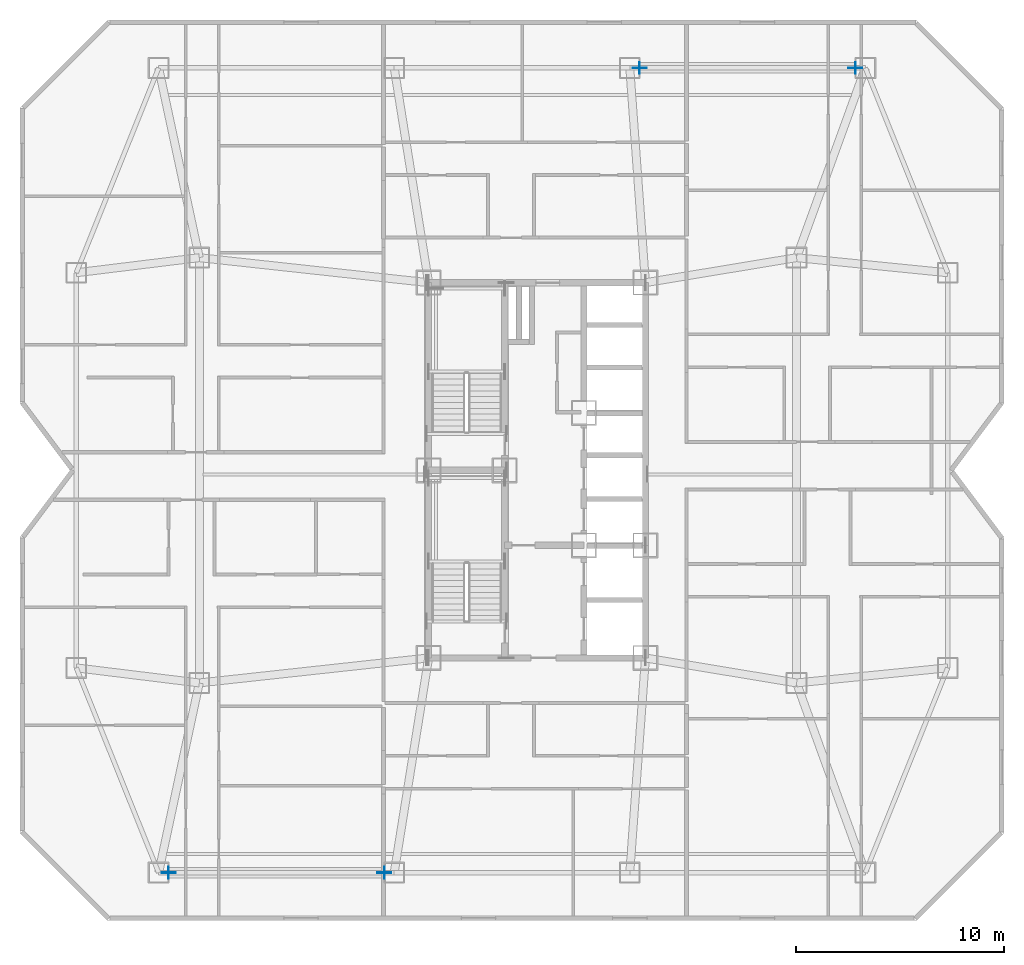
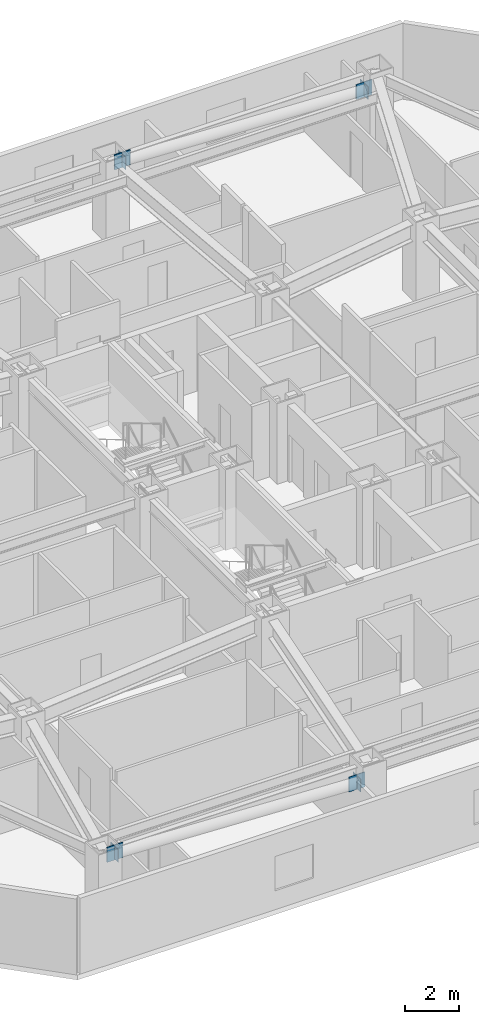
# One storey, part 3 of 10: 8 plates.
"""IFC4 building model written with IfcOpenShell, lengths in metres."""

from ifc_helpers import new_model, si_unit, direction, frame, origin, origin_2d, place, context, subcontext, project, spatial, rectangle, extrude, material, layer, layer_set, type_object, element, save


model = new_model("IFC4")

# Units and contexts
model_context = context("Model", 3, precision=1e-05, world=origin(), true_north=direction((0.0, 1.0)))
body_context = subcontext(model_context, "Body", "Model", "MODEL_VIEW")
ifc_project = project(units=[si_unit("LENGTHUNIT", "METRE"), si_unit("AREAUNIT", "SQUARE_METRE"), si_unit("VOLUMEUNIT", "CUBIC_METRE"), si_unit("PLANEANGLEUNIT", "RADIAN"), si_unit("MASSUNIT", "GRAM", prefix="KILO")], contexts=[model_context])

# Site, building, storey
site_placement = place(None, origin())
site = spatial("IfcSite", under=ifc_project, at=site_placement, CompositionType="ELEMENT")
building_placement = place(site_placement, origin())
building = spatial("IfcBuilding", under=site, at=building_placement, Name="Khamvora Tower", CompositionType="ELEMENT")
storey_placement = place(building_placement, frame((0.0, 0.0, 94.60009765625)))
storey = spatial("IfcBuildingStorey", under=building, at=storey_placement, Name="L23", CompositionType="ELEMENT", Elevation=94.60009765625)

# Plates
ifc_material_1 = material(Name="Steel S355", Category="steel")
ifc_layer_1 = layer(ifc_material_1, 0.02490234375)
ifc_layer_set_1 = layer_set([ifc_layer_1], Name="Steel S355")
plate_type_1 = type_object("IfcPlateType", Name="PL-CAP-25", PredefinedType="SHEET", material=ifc_layer_set_1)
for number, where, z_axis, x_axis, name in (
    (1, (26.882080078125, 8.699951171875, 2.4150390625), (0.0, 0.0, 1.0), (-1.0, 0.0, 0.0), "L23 hollow section steel end cap plate 0736"),
    (2, (16.51806640625, 8.699951171875, 2.85791015625), (0.0, 0.0, 1.0), (-1.0, 0.0, 0.0), "L23 hollow section steel end cap plate 0737"),
    (3, (49.48193359375, 47.300048828125, 2.4150390625), (0.0, 0.0, 1.0), (-1.0, 0.0, 0.0), "L23 hollow section steel end cap plate 0738"),
    (4, (39.117919921875, 47.300048828125, 2.85791015625), (0.0, 0.0, 1.0), (-1.0, 0.0, 0.0), "L23 hollow section steel end cap plate 0739"),
):
    element("IfcPlate", number, at=place(storey_placement, frame(where, z_axis=z_axis, x_axis=x_axis)), inside=storey, type_object=plate_type_1, Name=name, PredefinedType="SHEET", context=body_context, shape_type="SweptSolid", body=[
        extrude(rectangle(XDim=0.02490234375, YDim=0.568115234375, at=origin_2d()), origin(), (0.0, 0.0, 1.0), 0.568115234375),
    ])
ifc_material_2 = material(Name="Steel S460", Category="steel")
ifc_layer_2 = layer(ifc_material_2, 0.0400390625)
ifc_layer_set_2 = layer_set([ifc_layer_2], Name="Steel S460")
plate_type_2 = type_object("IfcPlateType", Name="PLT-GUS-40", PredefinedType="SHEET", material=ifc_layer_set_2)
for number, where, z_axis, x_axis, name in (
    (5, (26.8701171875, 8.699951171875, 2.35986328125), (0.0, 0.0, 1.0), (1.0, 0.0, 0.0), "L23 brace connection node gusset plate 0169"),
    (6, (16.530029296875, 8.699951171875, 2.80078125), (0.0, 0.0, 1.0), (1.0, 0.0, 0.0), "L23 brace connection node gusset plate 0170"),
    (7, (49.469970703125, 47.300048828125, 2.35986328125), (0.0, 0.0, 1.0), (1.0, 0.0, 0.0), "L23 brace connection node gusset plate 0171"),
    (8, (39.1298828125, 47.300048828125, 2.80078125), (0.0, 0.0, 1.0), (1.0, 0.0, 0.0), "L23 brace connection node gusset plate 0172"),
):
    element("IfcPlate", number, at=place(storey_placement, frame(where, z_axis=z_axis, x_axis=x_axis)), inside=storey, type_object=plate_type_2, Name=name, PredefinedType="SHEET", context=body_context, shape_type="SweptSolid", body=[
        extrude(rectangle(XDim=0.679931640625, YDim=0.0400390625, at=origin_2d()), origin(), (0.0, 0.0, 1.0), 0.679931640625),
    ])

save(model, "model.ifc")
